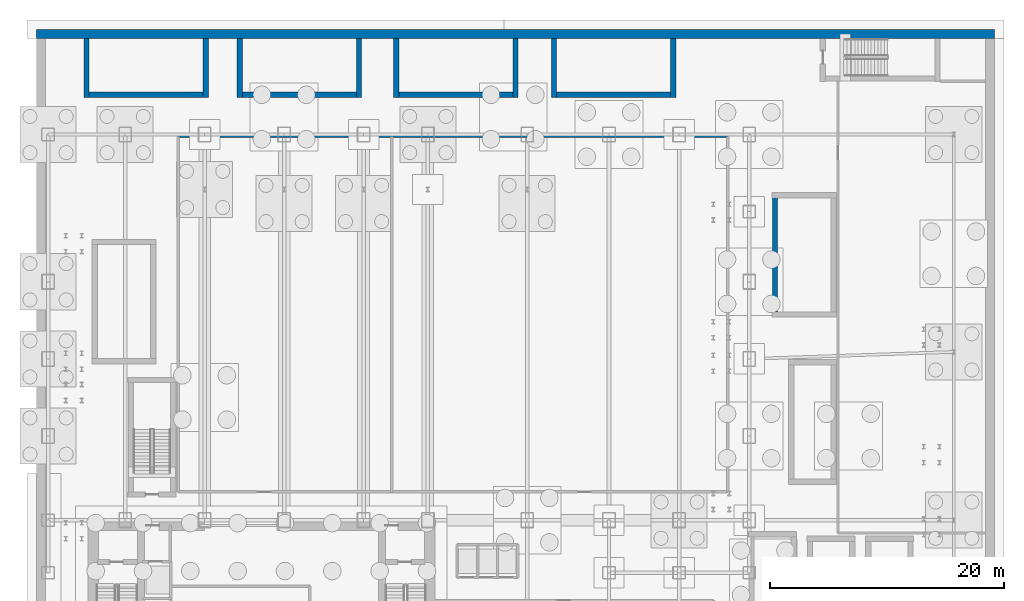
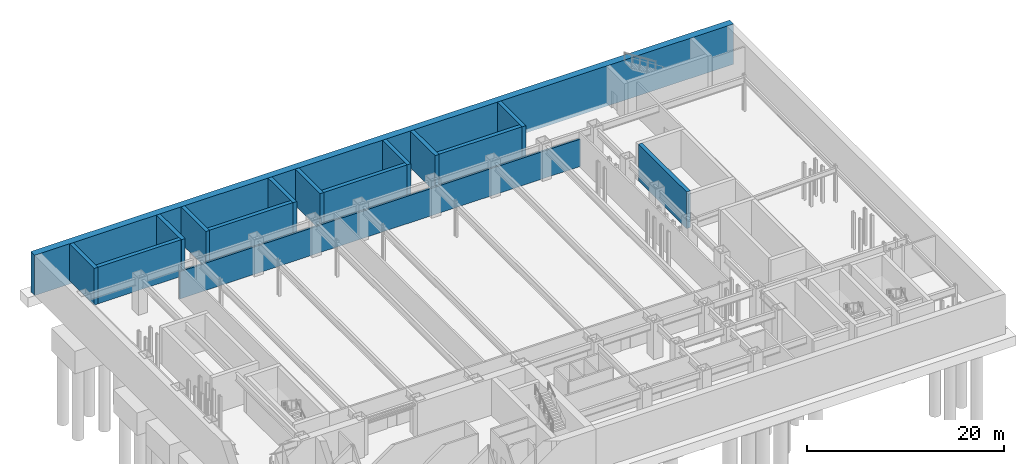
# One storey, part 12 of 17: 15 walls.
"""IFC4 building model written with IfcOpenShell, lengths in metres."""

from ifc_helpers import new_model, si_unit, derived_unit, direction, frame, frame_2d, origin, place, context, subcontext, project, spatial, rectangle, extrude, source, transform, mapped, material, layer, layer_set, type_object, element, save


model = new_model("IFC4")

# Units and contexts
model_context = context("Model", 3, precision=1e-05, world=origin(), true_north=direction((0.0, 1.0)))
body_context = subcontext(model_context, "Body", "Model", "MODEL_VIEW")
ifc_project = project(units=[si_unit("LENGTHUNIT", "METRE"), si_unit("AREAUNIT", "SQUARE_METRE"), si_unit("VOLUMEUNIT", "CUBIC_METRE"), si_unit("PLANEANGLEUNIT", "RADIAN"), si_unit("MASSUNIT", "GRAM", prefix="KILO"), derived_unit("THERMALTRANSMITTANCEUNIT", [(si_unit("POWERUNIT", "WATT"), 1), (si_unit("LENGTHUNIT", "METRE"), -2), (si_unit("THERMODYNAMICTEMPERATUREUNIT", "KELVIN"), -1)])], contexts=[model_context])

# Site, building, storey
site_placement = place(None, origin())
site = spatial("IfcSite", under=ifc_project, at=site_placement, CompositionType="ELEMENT")
building_placement = place(site_placement, origin())
building = spatial("IfcBuilding", under=site, at=building_placement, Name="Skarnbrae Concourse Arena and Tower", CompositionType="ELEMENT")
storey_placement = place(building_placement, frame((0.0, 0.0, -10.0)))
storey = spatial("IfcBuildingStorey", under=building, at=storey_placement, Name="B02", CompositionType="ELEMENT", Elevation=-10.0)

# Walls
ifc_material_1 = material(Name="Concrete 50 MPa (C50/60)", Category="concrete")
ifc_layer_1 = layer(ifc_material_1, 0.800048828125)
ifc_layer_set_1 = layer_set([ifc_layer_1], Name="Concrete 50 MPa (C50/60)")
wall_type_1 = type_object("IfcWallType", Name="WALL-RETAINING-800", PredefinedType="USERDEFINED", material=ifc_layer_set_1)
shared_shape_1 = source(origin(), body_context, "Body", "SweptSolid", [
    extrude(rectangle(XDim=82.0, YDim=0.800048828125, at=frame_2d((41.0, 0.0))), origin(), (0.0, 0.0, 1.0), 5.0),
])
wall_1_placement = place(storey_placement, frame((0.0, 55.60009765625, 0.0), z_axis=(0.0, 0.0, 1.0), x_axis=(1.0, 0.0, 0.0)))
element("IfcWall", 1, at=wall_1_placement, inside=storey, type_object=wall_type_1, Name="B02 Basement retaining wall RW-N", ObjectType="RETAINING WALL", PredefinedType="USERDEFINED", context=body_context, shape_type="MappedRepresentation", body=[
    mapped(shared_shape_1, transform((0.0, 0.0, 0.0))),
])
ifc_layer_2 = layer(ifc_material_1, 0.449951171875)
ifc_layer_set_2 = layer_set([ifc_layer_2], Name="Concrete 50 MPa (C50/60)")
wall_type_2 = type_object("IfcWallType", Name="WALL-CORE-450-C50", PredefinedType="SHEAR", material=ifc_layer_set_2)
shared_shape_2 = source(origin(), body_context, "Body", "SweptSolid", [
    extrude(rectangle(XDim=9.800048828125, YDim=0.449951171875, at=frame_2d((4.89990234375, 0.0))), origin(), (0.0, 0.0, 1.0), 4.550048828125),
])
for number, where, z_axis, x_axis, name in (
    (2, (63.195068359375, 31.800048828125, 0.449951171875), (0.0, 0.0, 1.0), (0.0, 1.0, 0.0), "B02 Protected stair shaft wall ST-A4-W"),
    (3, (4.5, 50.39501953125, 0.449951171875), (0.0, 0.0, 1.0), (1.0, 0.0, 0.0), "B02 Protected stair shaft wall ST-A5-S"),
    (4, (31.0, 50.39501953125, 0.449951171875), (0.0, 0.0, 1.0), (1.0, 0.0, 0.0), "B02 Protected stair shaft wall ST-A7-S"),
    (5, (44.5, 50.39501953125, 0.449951171875), (0.0, 0.0, 1.0), (1.0, 0.0, 0.0), "B02 Protected stair shaft wall ST-A8-S"),
):
    element("IfcWall", number, at=place(storey_placement, frame(where, z_axis=z_axis, x_axis=x_axis)), inside=storey, type_object=wall_type_2, Name=name, PredefinedType="SHEAR", context=body_context, shape_type="MappedRepresentation", body=[
        mapped(shared_shape_2, transform((0.0, 0.0, 0.0))),
    ])
shared_shape_3 = source(origin(), body_context, "Body", "SweptSolid", [
    extrude(rectangle(XDim=5.050048828125, YDim=0.449951171875, at=frame_2d((2.52490234375, 0.0))), origin(), (0.0, 0.0, 1.0), 4.550048828125),
])
for number, where, z_axis, x_axis, name in (
    (6, (4.294921875, 50.14990234375, 0.449951171875), (0.0, 0.0, 1.0), (0.0, 1.0, 0.0), "B02 Protected stair shaft wall ST-A5-W"),
    (7, (14.5048828125, 50.14990234375, 0.449951171875), (0.0, 0.0, 1.0), (0.0, 1.0, 0.0), "B02 Protected stair shaft wall ST-A5-E"),
    (8, (17.39501953125, 50.14990234375, 0.449951171875), (0.0, 0.0, 1.0), (0.0, 1.0, 0.0), "B02 Protected stair shaft wall ST-A6-W"),
    (9, (27.60498046875, 50.14990234375, 0.449951171875), (0.0, 0.0, 1.0), (0.0, 1.0, 0.0), "B02 Protected stair shaft wall ST-A6-E"),
    (10, (30.794921875, 50.14990234375, 0.449951171875), (0.0, 0.0, 1.0), (0.0, 1.0, 0.0), "B02 Protected stair shaft wall ST-A7-W"),
    (11, (41.0048828125, 50.14990234375, 0.449951171875), (0.0, 0.0, 1.0), (0.0, 1.0, 0.0), "B02 Protected stair shaft wall ST-A7-E"),
    (12, (44.294921875, 50.14990234375, 0.449951171875), (0.0, 0.0, 1.0), (0.0, 1.0, 0.0), "B02 Protected stair shaft wall ST-A8-W"),
    (13, (54.5048828125, 50.14990234375, 0.449951171875), (0.0, 0.0, 1.0), (0.0, 1.0, 0.0), "B02 Protected stair shaft wall ST-A8-E"),
):
    element("IfcWall", number, at=place(storey_placement, frame(where, z_axis=z_axis, x_axis=x_axis)), inside=storey, type_object=wall_type_2, Name=name, PredefinedType="SHEAR", context=body_context, shape_type="MappedRepresentation", body=[
        mapped(shared_shape_3, transform((0.0, 0.0, 0.0))),
    ])
shared_shape_4 = source(origin(), body_context, "Body", "SweptSolid", [
    extrude(rectangle(XDim=9.7998046875, YDim=0.449951171875, at=frame_2d((4.89990234375, 0.0))), origin(), (0.0, 0.0, 1.0), 4.550048828125),
])
wall_2_placement = place(storey_placement, frame((17.60009765625, 50.39501953125, 0.449951171875), z_axis=(0.0, 0.0, 1.0), x_axis=(1.0, 0.0, 0.0)))
element("IfcWall", 14, at=wall_2_placement, inside=storey, type_object=wall_type_2, Name="B02 Protected stair shaft wall ST-A6-S", PredefinedType="SHEAR", context=body_context, shape_type="MappedRepresentation", body=[
    mapped(shared_shape_4, transform((0.0, 0.0, 0.0))),
])
ifc_material_2 = material(Name="Gypsum board on cold-formed steel studs", Category="steel")
ifc_layer_3 = layer(ifc_material_2, 0.199951171875)
ifc_layer_set_3 = layer_set([ifc_layer_3], Name="Gypsum board on cold-formed steel studs")
wall_type_3 = type_object("IfcWallType", Name="WALL-PART-200-2HR", PredefinedType="PARTITIONING", material=ifc_layer_set_3)
shared_shape_5 = source(origin(), body_context, "Body", "SweptSolid", [
    extrude(rectangle(XDim=47.0, YDim=0.199951171875, at=frame_2d((23.5, 0.0))), origin(), (0.0, 0.0, 1.0), 3.39404296875),
])
wall_3_placement = place(storey_placement, frame((12.14990234375, 46.85009765625, 0.449951171875), z_axis=(0.0, 0.0, 1.0), x_axis=(1.0, 0.0, 0.0)))
element("IfcWall", 15, at=wall_3_placement, inside=storey, type_object=wall_type_3, Name="B02 Interior partition wall W-B02-BC-TOP", PredefinedType="PARTITIONING", context=body_context, shape_type="MappedRepresentation", body=[
    mapped(shared_shape_5, transform((0.0, 0.0, 0.0))),
])

save(model, "model.ifc")
